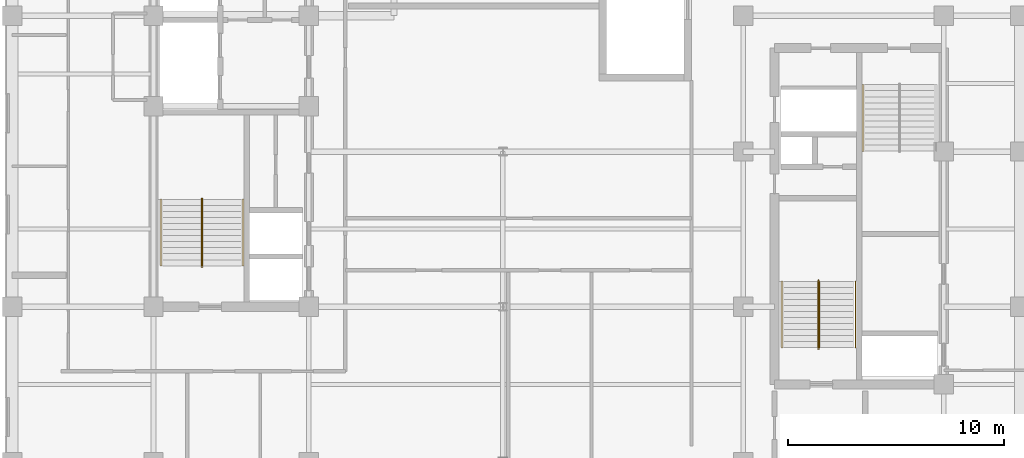
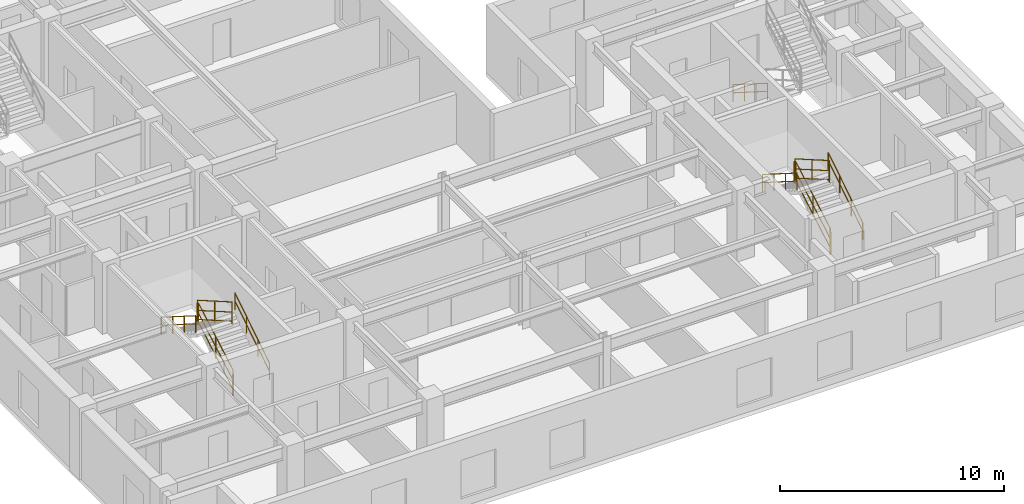
# One storey, part 8 of 10: 13 railings.
"""IFC4 building model written with IfcOpenShell, lengths in metres."""

from ifc_helpers import new_model, entity, si_unit, converted_unit, direction, frame, origin_with_axes, origin_2d_with_axis, place, context, subcontext, project, spatial, rectangle, circle, extrude, material, type_object, element, save


model = new_model("IFC4")

# Units and contexts
model_context = context("Model", 3, precision=1e-05, world=origin_with_axes(), true_north=direction((0.0, 1.0)))
body_context = subcontext(model_context, "Body", "Model", "MODEL_VIEW")
ifc_project = project(units=[si_unit("LENGTHUNIT", "METRE"), si_unit("AREAUNIT", "SQUARE_METRE"), si_unit("VOLUMEUNIT", "CUBIC_METRE"), converted_unit("PLANEANGLEUNIT", "DEGREE", entity("IfcPlaneAngleMeasure", 0.017453292519943295), si_unit("PLANEANGLEUNIT", "RADIAN"), dimensions=[0, 0, 0, 0, 0, 0, 0]), si_unit("MASSUNIT", "GRAM", prefix="KILO"), si_unit("THERMODYNAMICTEMPERATUREUNIT", "KELVIN")], contexts=[model_context])

# Site, building, storey
site_placement = place(None, origin_with_axes())
site = spatial("IfcSite", under=ifc_project, at=site_placement, CompositionType="ELEMENT")
building_placement = place(site_placement, origin_with_axes())
building = spatial("IfcBuilding", under=site, at=building_placement, Name="Varnlund Millrace Tower", CompositionType="ELEMENT")
storey_placement = place(building_placement, frame((0.0, 0.0, 236.4), z_axis=(0.0, 0.0, 1.0), x_axis=(1.0, 0.0, 0.0)))
storey = spatial("IfcBuildingStorey", under=building, at=storey_placement, Name="L58", CompositionType="ELEMENT", Elevation=236.4)

# Railings
ifc_material_1 = material(Name="Painted steel stair well balustrade guard", Category="steel")
railing_type_1 = type_object("IfcRailingType", Name="Type-StairGuard-1150", PredefinedType="GUARDRAIL", material=ifc_material_1)
railing_1_placement = place(storey_placement, frame((0.0, 0.0, -236.4), z_axis=(0.0, 0.0, 1.0), x_axis=(1.0, 0.0, 0.0)))
element("IfcRailing", 1, at=railing_1_placement, inside=storey, type_object=railing_type_1, Name="Type-StairGuard-1150", PredefinedType="GUARDRAIL", context=body_context, shape_type="SweptSolid", body=[
    extrude(circle(Radius=0.024, at=origin_2d_with_axis()), frame((13.675, 12.7, 237.727273), z_axis=(0.0, 0.866696, 0.498836), x_axis=(-1.0, 0.0, 0.0)), (0.0, 0.0, 1.0), 3.553725),
    extrude(circle(Radius=0.024, at=origin_2d_with_axis()), frame((13.675, 12.7, 236.677273), z_axis=(0.0, 0.866696, 0.498836), x_axis=(-1.0, 0.0, 0.0)), (0.0, 0.0, 1.0), 3.553725),
    extrude(circle(Radius=0.024, at=origin_2d_with_axis()), frame((13.675, 12.7, 237.175273), z_axis=(0.0, 0.866696, 0.498836), x_axis=(-1.0, 0.0, 0.0)), (0.0, 0.0, 1.0), 3.553725),
    extrude(rectangle(XDim=0.04, YDim=0.04, at=origin_2d_with_axis()), frame((13.675, 12.7, 236.537273), z_axis=(0.0, 0.0, 1.0), x_axis=(1.0, 0.0, 0.0)), (0.0, 0.0, 1.0), 1.19),
    extrude(rectangle(XDim=0.04, YDim=0.04, at=origin_2d_with_axis()), frame((13.675, 14.24, 237.423637), z_axis=(0.0, 0.0, 1.0), x_axis=(1.0, 0.0, 0.0)), (0.0, 0.0, 1.0), 1.19),
    extrude(rectangle(XDim=0.04, YDim=0.04, at=origin_2d_with_axis()), frame((13.675, 15.78, 238.31), z_axis=(0.0, 0.0, 1.0), x_axis=(1.0, 0.0, 0.0)), (0.0, 0.0, 1.0), 1.19),
])
railing_2_placement = place(storey_placement, frame((0.0, 0.0, -236.4), z_axis=(0.0, 0.0, 1.0), x_axis=(1.0, 0.0, 0.0)))
element("IfcRailing", 2, at=railing_2_placement, inside=storey, type_object=railing_type_1, Name="Type-StairGuard-1150", PredefinedType="GUARDRAIL", context=body_context, shape_type="SweptSolid", body=[
    extrude(circle(Radius=0.024, at=origin_2d_with_axis()), frame((13.625, 15.83, 239.5), z_axis=(1.0, 0.0, 0.0), x_axis=(0.0, 1.0, 0.0)), (0.0, 0.0, 1.0), 0.05),
    extrude(circle(Radius=0.024, at=origin_2d_with_axis()), frame((13.625, 15.83, 238.45), z_axis=(1.0, 0.0, 0.0), x_axis=(0.0, 1.0, 0.0)), (0.0, 0.0, 1.0), 0.05),
    extrude(circle(Radius=0.024, at=origin_2d_with_axis()), frame((13.625, 15.83, 238.948), z_axis=(1.0, 0.0, 0.0), x_axis=(0.0, 1.0, 0.0)), (0.0, 0.0, 1.0), 0.05),
    extrude(rectangle(XDim=0.04, YDim=0.04, at=origin_2d_with_axis()), frame((13.625, 15.83, 238.31), z_axis=(0.0, 0.0, 1.0), x_axis=(1.0, 0.0, 0.0)), (0.0, 0.0, 1.0), 1.19),
    extrude(rectangle(XDim=0.04, YDim=0.04, at=origin_2d_with_axis()), frame((13.675, 15.83, 238.31), z_axis=(0.0, 0.0, 1.0), x_axis=(1.0, 0.0, 0.0)), (0.0, 0.0, 1.0), 1.19),
])
railing_3_placement = place(storey_placement, frame((0.0, 0.0, -236.4), z_axis=(0.0, 0.0, 1.0), x_axis=(1.0, 0.0, 0.0)))
element("IfcRailing", 3, at=railing_3_placement, inside=storey, type_object=railing_type_1, Name="Type-StairGuard-1150", PredefinedType="GUARDRAIL", context=body_context, shape_type="SweptSolid", body=[
    extrude(circle(Radius=0.024, at=origin_2d_with_axis()), frame((13.625, 15.78, 239.677273), z_axis=(0.0, -0.866696, 0.498836), x_axis=(1.0, 0.0, 0.0)), (0.0, 0.0, 1.0), 3.553725),
    extrude(circle(Radius=0.024, at=origin_2d_with_axis()), frame((13.625, 15.78, 238.627273), z_axis=(0.0, -0.866696, 0.498836), x_axis=(1.0, 0.0, 0.0)), (0.0, 0.0, 1.0), 3.553725),
    extrude(circle(Radius=0.024, at=origin_2d_with_axis()), frame((13.625, 15.78, 239.125273), z_axis=(0.0, -0.866696, 0.498836), x_axis=(1.0, 0.0, 0.0)), (0.0, 0.0, 1.0), 3.553725),
    extrude(rectangle(XDim=0.04, YDim=0.04, at=origin_2d_with_axis()), frame((13.625, 15.78, 238.487273), z_axis=(0.0, 0.0, 1.0), x_axis=(1.0, 0.0, 0.0)), (0.0, 0.0, 1.0), 1.19),
    extrude(rectangle(XDim=0.04, YDim=0.04, at=origin_2d_with_axis()), frame((13.625, 14.24, 239.373636), z_axis=(0.0, 0.0, 1.0), x_axis=(1.0, 0.0, 0.0)), (0.0, 0.0, 1.0), 1.19),
    extrude(rectangle(XDim=0.04, YDim=0.04, at=origin_2d_with_axis()), frame((13.625, 12.7, 240.26), z_axis=(0.0, 0.0, 1.0), x_axis=(1.0, 0.0, 0.0)), (0.0, 0.0, 1.0), 1.19),
])
railing_4_placement = place(storey_placement, frame((0.0, 0.0, -236.4), z_axis=(0.0, 0.0, 1.0), x_axis=(1.0, 0.0, 0.0)))
element("IfcRailing", 4, at=railing_4_placement, inside=storey, type_object=railing_type_1, Name="Type-StairGuard-1150", PredefinedType="GUARDRAIL", context=body_context, shape_type="SweptSolid", body=[
    extrude(circle(Radius=0.024, at=origin_2d_with_axis()), frame((13.625, 12.65, 237.55), z_axis=(1.0, 0.0, 0.0), x_axis=(0.0, 1.0, 0.0)), (0.0, 0.0, 1.0), 0.05),
    extrude(circle(Radius=0.024, at=origin_2d_with_axis()), frame((13.625, 12.65, 236.5), z_axis=(1.0, 0.0, 0.0), x_axis=(0.0, 1.0, 0.0)), (0.0, 0.0, 1.0), 0.05),
    extrude(circle(Radius=0.024, at=origin_2d_with_axis()), frame((13.625, 12.65, 236.998), z_axis=(1.0, 0.0, 0.0), x_axis=(0.0, 1.0, 0.0)), (0.0, 0.0, 1.0), 0.05),
    extrude(rectangle(XDim=0.04, YDim=0.04, at=origin_2d_with_axis()), frame((13.625, 12.65, 236.36), z_axis=(0.0, 0.0, 1.0), x_axis=(1.0, 0.0, 0.0)), (0.0, 0.0, 1.0), 1.19),
    extrude(rectangle(XDim=0.04, YDim=0.04, at=origin_2d_with_axis()), frame((13.675, 12.65, 236.36), z_axis=(0.0, 0.0, 1.0), x_axis=(1.0, 0.0, 0.0)), (0.0, 0.0, 1.0), 1.19),
])
railing_5_placement = place(storey_placement, frame((0.0, 0.0, -236.4), z_axis=(0.0, 0.0, 1.0), x_axis=(1.0, 0.0, 0.0)))
element("IfcRailing", 5, at=railing_5_placement, inside=storey, type_object=railing_type_1, Name="Type-StairGuard-1150", PredefinedType="GUARDRAIL", context=body_context, shape_type="SweptSolid", body=[
    extrude(circle(Radius=0.024, at=origin_2d_with_axis()), frame((42.275, 8.9, 237.727273), z_axis=(0.0, 0.866696, 0.498836), x_axis=(-1.0, 0.0, 0.0)), (0.0, 0.0, 1.0), 3.553725),
    extrude(circle(Radius=0.024, at=origin_2d_with_axis()), frame((42.275, 8.9, 236.677273), z_axis=(0.0, 0.866696, 0.498836), x_axis=(-1.0, 0.0, 0.0)), (0.0, 0.0, 1.0), 3.553725),
    extrude(circle(Radius=0.024, at=origin_2d_with_axis()), frame((42.275, 8.9, 237.175273), z_axis=(0.0, 0.866696, 0.498836), x_axis=(-1.0, 0.0, 0.0)), (0.0, 0.0, 1.0), 3.553725),
    extrude(rectangle(XDim=0.04, YDim=0.04, at=origin_2d_with_axis()), frame((42.275, 8.9, 236.537273), z_axis=(0.0, 0.0, 1.0), x_axis=(1.0, 0.0, 0.0)), (0.0, 0.0, 1.0), 1.19),
    extrude(rectangle(XDim=0.04, YDim=0.04, at=origin_2d_with_axis()), frame((42.275, 10.44, 237.423637), z_axis=(0.0, 0.0, 1.0), x_axis=(1.0, 0.0, 0.0)), (0.0, 0.0, 1.0), 1.19),
    extrude(rectangle(XDim=0.04, YDim=0.04, at=origin_2d_with_axis()), frame((42.275, 11.98, 238.31), z_axis=(0.0, 0.0, 1.0), x_axis=(1.0, 0.0, 0.0)), (0.0, 0.0, 1.0), 1.19),
])
railing_6_placement = place(storey_placement, frame((0.0, 0.0, -236.4), z_axis=(0.0, 0.0, 1.0), x_axis=(1.0, 0.0, 0.0)))
element("IfcRailing", 6, at=railing_6_placement, inside=storey, type_object=railing_type_1, Name="Type-StairGuard-1150", PredefinedType="GUARDRAIL", context=body_context, shape_type="SweptSolid", body=[
    extrude(circle(Radius=0.024, at=origin_2d_with_axis()), frame((42.225, 12.03, 239.5), z_axis=(1.0, 0.0, 0.0), x_axis=(0.0, 1.0, 0.0)), (0.0, 0.0, 1.0), 0.05),
    extrude(circle(Radius=0.024, at=origin_2d_with_axis()), frame((42.225, 12.03, 238.45), z_axis=(1.0, 0.0, 0.0), x_axis=(0.0, 1.0, 0.0)), (0.0, 0.0, 1.0), 0.05),
    extrude(circle(Radius=0.024, at=origin_2d_with_axis()), frame((42.225, 12.03, 238.948), z_axis=(1.0, 0.0, 0.0), x_axis=(0.0, 1.0, 0.0)), (0.0, 0.0, 1.0), 0.05),
    extrude(rectangle(XDim=0.04, YDim=0.04, at=origin_2d_with_axis()), frame((42.225, 12.03, 238.31), z_axis=(0.0, 0.0, 1.0), x_axis=(1.0, 0.0, 0.0)), (0.0, 0.0, 1.0), 1.19),
    extrude(rectangle(XDim=0.04, YDim=0.04, at=origin_2d_with_axis()), frame((42.275, 12.03, 238.31), z_axis=(0.0, 0.0, 1.0), x_axis=(1.0, 0.0, 0.0)), (0.0, 0.0, 1.0), 1.19),
])
railing_7_placement = place(storey_placement, frame((0.0, 0.0, -236.4), z_axis=(0.0, 0.0, 1.0), x_axis=(1.0, 0.0, 0.0)))
element("IfcRailing", 7, at=railing_7_placement, inside=storey, type_object=railing_type_1, Name="Type-StairGuard-1150", PredefinedType="GUARDRAIL", context=body_context, shape_type="SweptSolid", body=[
    extrude(circle(Radius=0.024, at=origin_2d_with_axis()), frame((42.225, 11.98, 239.677273), z_axis=(0.0, -0.866696, 0.498836), x_axis=(1.0, 0.0, 0.0)), (0.0, 0.0, 1.0), 3.553725),
    extrude(circle(Radius=0.024, at=origin_2d_with_axis()), frame((42.225, 11.98, 238.627273), z_axis=(0.0, -0.866696, 0.498836), x_axis=(1.0, 0.0, 0.0)), (0.0, 0.0, 1.0), 3.553725),
    extrude(circle(Radius=0.024, at=origin_2d_with_axis()), frame((42.225, 11.98, 239.125273), z_axis=(0.0, -0.866696, 0.498836), x_axis=(1.0, 0.0, 0.0)), (0.0, 0.0, 1.0), 3.553725),
    extrude(rectangle(XDim=0.04, YDim=0.04, at=origin_2d_with_axis()), frame((42.225, 11.98, 238.487273), z_axis=(0.0, 0.0, 1.0), x_axis=(1.0, 0.0, 0.0)), (0.0, 0.0, 1.0), 1.19),
    extrude(rectangle(XDim=0.04, YDim=0.04, at=origin_2d_with_axis()), frame((42.225, 10.44, 239.373636), z_axis=(0.0, 0.0, 1.0), x_axis=(1.0, 0.0, 0.0)), (0.0, 0.0, 1.0), 1.19),
    extrude(rectangle(XDim=0.04, YDim=0.04, at=origin_2d_with_axis()), frame((42.225, 8.9, 240.26), z_axis=(0.0, 0.0, 1.0), x_axis=(1.0, 0.0, 0.0)), (0.0, 0.0, 1.0), 1.19),
])
railing_8_placement = place(storey_placement, frame((0.0, 0.0, -236.4), z_axis=(0.0, 0.0, 1.0), x_axis=(1.0, 0.0, 0.0)))
element("IfcRailing", 8, at=railing_8_placement, inside=storey, type_object=railing_type_1, Name="Type-StairGuard-1150", PredefinedType="GUARDRAIL", context=body_context, shape_type="SweptSolid", body=[
    extrude(circle(Radius=0.024, at=origin_2d_with_axis()), frame((42.225, 8.85, 237.55), z_axis=(1.0, 0.0, 0.0), x_axis=(0.0, 1.0, 0.0)), (0.0, 0.0, 1.0), 0.05),
    extrude(circle(Radius=0.024, at=origin_2d_with_axis()), frame((42.225, 8.85, 236.5), z_axis=(1.0, 0.0, 0.0), x_axis=(0.0, 1.0, 0.0)), (0.0, 0.0, 1.0), 0.05),
    extrude(circle(Radius=0.024, at=origin_2d_with_axis()), frame((42.225, 8.85, 236.998), z_axis=(1.0, 0.0, 0.0), x_axis=(0.0, 1.0, 0.0)), (0.0, 0.0, 1.0), 0.05),
    extrude(rectangle(XDim=0.04, YDim=0.04, at=origin_2d_with_axis()), frame((42.225, 8.85, 236.36), z_axis=(0.0, 0.0, 1.0), x_axis=(1.0, 0.0, 0.0)), (0.0, 0.0, 1.0), 1.19),
    extrude(rectangle(XDim=0.04, YDim=0.04, at=origin_2d_with_axis()), frame((42.275, 8.85, 236.36), z_axis=(0.0, 0.0, 1.0), x_axis=(1.0, 0.0, 0.0)), (0.0, 0.0, 1.0), 1.19),
])
ifc_material_2 = material(Name="Brushed architectural bronze stair handrail", Category="aluminium")
railing_type_2 = type_object("IfcRailingType", Name="Type-StairHandrail-900", PredefinedType="HANDRAIL", material=ifc_material_2)
railing_9_placement = place(storey_placement, frame((0.0, 0.0, -236.4), z_axis=(0.0, 0.0, 1.0), x_axis=(1.0, 0.0, 0.0)))
element("IfcRailing", 9, at=railing_9_placement, inside=storey, type_object=railing_type_2, Name="Type-StairHandrail-900", PredefinedType="HANDRAIL", context=body_context, shape_type="SweptSolid", body=[
    extrude(circle(Radius=0.024, at=origin_2d_with_axis()), frame((15.55, 12.7, 237.456995), z_axis=(0.0, 0.844902, 0.534922), x_axis=(-1.0, 0.0, 0.0)), (0.0, 0.0, 1.0), 3.645394),
    extrude(circle(Radius=0.024, at=origin_2d_with_axis()), frame((15.55, 12.7, 237.017134), z_axis=(0.0, 0.844902, 0.534922), x_axis=(-1.0, 0.0, 0.0)), (0.0, 0.0, 1.0), 3.645394),
    extrude(rectangle(XDim=0.04, YDim=0.04, at=origin_2d_with_axis()), frame((15.55, 12.7, 236.537273), z_axis=(0.0, 0.0, 1.0), x_axis=(1.0, 0.0, 0.0)), (0.0, 0.0, 1.0), 0.919722),
    extrude(rectangle(XDim=0.04, YDim=0.04, at=origin_2d_with_axis()), frame((15.55, 13.726667, 237.187273), z_axis=(0.0, 0.0, 1.0), x_axis=(1.0, 0.0, 0.0)), (0.0, 0.0, 1.0), 0.919722),
    extrude(rectangle(XDim=0.04, YDim=0.04, at=origin_2d_with_axis()), frame((15.55, 14.753333, 237.837273), z_axis=(0.0, 0.0, 1.0), x_axis=(1.0, 0.0, 0.0)), (0.0, 0.0, 1.0), 0.919722),
    extrude(rectangle(XDim=0.04, YDim=0.04, at=origin_2d_with_axis()), frame((15.55, 15.78, 238.487273), z_axis=(0.0, 0.0, 1.0), x_axis=(1.0, 0.0, 0.0)), (0.0, 0.0, 1.0), 0.919722),
])
railing_10_placement = place(storey_placement, frame((0.0, 0.0, -236.4), z_axis=(0.0, 0.0, 1.0), x_axis=(1.0, 0.0, 0.0)))
element("IfcRailing", 10, at=railing_10_placement, inside=storey, type_object=railing_type_2, Name="Type-StairHandrail-900", PredefinedType="HANDRAIL", context=body_context, shape_type="SweptSolid", body=[
    extrude(circle(Radius=0.024, at=origin_2d_with_axis()), frame((11.75, 15.78, 239.406995), z_axis=(0.0, -0.844902, 0.534922), x_axis=(1.0, 0.0, 0.0)), (0.0, 0.0, 1.0), 3.645394),
    extrude(circle(Radius=0.024, at=origin_2d_with_axis()), frame((11.75, 15.78, 238.967134), z_axis=(0.0, -0.844902, 0.534922), x_axis=(1.0, 0.0, 0.0)), (0.0, 0.0, 1.0), 3.645394),
    extrude(rectangle(XDim=0.04, YDim=0.04, at=origin_2d_with_axis()), frame((11.75, 15.78, 238.487273), z_axis=(0.0, 0.0, 1.0), x_axis=(1.0, 0.0, 0.0)), (0.0, 0.0, 1.0), 0.919722),
    extrude(rectangle(XDim=0.04, YDim=0.04, at=origin_2d_with_axis()), frame((11.75, 14.753333, 239.137273), z_axis=(0.0, 0.0, 1.0), x_axis=(1.0, 0.0, 0.0)), (0.0, 0.0, 1.0), 0.919722),
    extrude(rectangle(XDim=0.04, YDim=0.04, at=origin_2d_with_axis()), frame((11.75, 13.726667, 239.787273), z_axis=(0.0, 0.0, 1.0), x_axis=(1.0, 0.0, 0.0)), (0.0, 0.0, 1.0), 0.919722),
    extrude(rectangle(XDim=0.04, YDim=0.04, at=origin_2d_with_axis()), frame((11.75, 12.7, 240.437273), z_axis=(0.0, 0.0, 1.0), x_axis=(1.0, 0.0, 0.0)), (0.0, 0.0, 1.0), 0.919722),
])
railing_11_placement = place(storey_placement, frame((0.0, 0.0, -236.4), z_axis=(0.0, 0.0, 1.0), x_axis=(1.0, 0.0, 0.0)))
element("IfcRailing", 11, at=railing_11_placement, inside=storey, type_object=railing_type_2, Name="Type-StairHandrail-900", PredefinedType="HANDRAIL", context=body_context, shape_type="SweptSolid", body=[
    extrude(circle(Radius=0.024, at=origin_2d_with_axis()), frame((43.95, 8.9, 237.456995), z_axis=(0.0, 0.844902, 0.534922), x_axis=(-1.0, 0.0, 0.0)), (0.0, 0.0, 1.0), 3.645394),
    extrude(circle(Radius=0.024, at=origin_2d_with_axis()), frame((43.95, 8.9, 237.017134), z_axis=(0.0, 0.844902, 0.534922), x_axis=(-1.0, 0.0, 0.0)), (0.0, 0.0, 1.0), 3.645394),
    extrude(rectangle(XDim=0.04, YDim=0.04, at=origin_2d_with_axis()), frame((43.95, 8.9, 236.537273), z_axis=(0.0, 0.0, 1.0), x_axis=(1.0, 0.0, 0.0)), (0.0, 0.0, 1.0), 0.919722),
    extrude(rectangle(XDim=0.04, YDim=0.04, at=origin_2d_with_axis()), frame((43.95, 9.926667, 237.187273), z_axis=(0.0, 0.0, 1.0), x_axis=(1.0, 0.0, 0.0)), (0.0, 0.0, 1.0), 0.919722),
    extrude(rectangle(XDim=0.04, YDim=0.04, at=origin_2d_with_axis()), frame((43.95, 10.953333, 237.837273), z_axis=(0.0, 0.0, 1.0), x_axis=(1.0, 0.0, 0.0)), (0.0, 0.0, 1.0), 0.919722),
    extrude(rectangle(XDim=0.04, YDim=0.04, at=origin_2d_with_axis()), frame((43.95, 11.98, 238.487273), z_axis=(0.0, 0.0, 1.0), x_axis=(1.0, 0.0, 0.0)), (0.0, 0.0, 1.0), 0.919722),
])
railing_12_placement = place(storey_placement, frame((0.0, 0.0, -236.4), z_axis=(0.0, 0.0, 1.0), x_axis=(1.0, 0.0, 0.0)))
element("IfcRailing", 12, at=railing_12_placement, inside=storey, type_object=railing_type_2, Name="Type-StairHandrail-900", PredefinedType="HANDRAIL", context=body_context, shape_type="SweptSolid", body=[
    extrude(circle(Radius=0.024, at=origin_2d_with_axis()), frame((40.55, 11.98, 239.406995), z_axis=(0.0, -0.844902, 0.534922), x_axis=(1.0, 0.0, 0.0)), (0.0, 0.0, 1.0), 3.645394),
    extrude(circle(Radius=0.024, at=origin_2d_with_axis()), frame((40.55, 11.98, 238.967134), z_axis=(0.0, -0.844902, 0.534922), x_axis=(1.0, 0.0, 0.0)), (0.0, 0.0, 1.0), 3.645394),
    extrude(rectangle(XDim=0.04, YDim=0.04, at=origin_2d_with_axis()), frame((40.55, 11.98, 238.487273), z_axis=(0.0, 0.0, 1.0), x_axis=(1.0, 0.0, 0.0)), (0.0, 0.0, 1.0), 0.919722),
    extrude(rectangle(XDim=0.04, YDim=0.04, at=origin_2d_with_axis()), frame((40.55, 10.953333, 239.137273), z_axis=(0.0, 0.0, 1.0), x_axis=(1.0, 0.0, 0.0)), (0.0, 0.0, 1.0), 0.919722),
    extrude(rectangle(XDim=0.04, YDim=0.04, at=origin_2d_with_axis()), frame((40.55, 9.926667, 239.787273), z_axis=(0.0, 0.0, 1.0), x_axis=(1.0, 0.0, 0.0)), (0.0, 0.0, 1.0), 0.919722),
    extrude(rectangle(XDim=0.04, YDim=0.04, at=origin_2d_with_axis()), frame((40.55, 8.9, 240.437273), z_axis=(0.0, 0.0, 1.0), x_axis=(1.0, 0.0, 0.0)), (0.0, 0.0, 1.0), 0.919722),
])
railing_13_placement = place(storey_placement, frame((0.0, 0.0, -236.4), z_axis=(0.0, 0.0, 1.0), x_axis=(1.0, 0.0, 0.0)))
element("IfcRailing", 13, at=railing_13_placement, inside=storey, type_object=railing_type_2, Name="Type-StairHandrail-900", PredefinedType="HANDRAIL", context=body_context, shape_type="SweptSolid", body=[
    extrude(circle(Radius=0.024, at=origin_2d_with_axis()), frame((44.3, 21.1, 237.456995), z_axis=(0.0, -0.844902, 0.534922), x_axis=(1.0, 0.0, 0.0)), (0.0, 0.0, 1.0), 3.645394),
    extrude(circle(Radius=0.024, at=origin_2d_with_axis()), frame((44.3, 21.1, 237.017134), z_axis=(0.0, -0.844902, 0.534922), x_axis=(1.0, 0.0, 0.0)), (0.0, 0.0, 1.0), 3.645394),
    extrude(rectangle(XDim=0.04, YDim=0.04, at=origin_2d_with_axis()), frame((44.3, 21.1, 236.537273), z_axis=(0.0, 0.0, 1.0), x_axis=(1.0, 0.0, 0.0)), (0.0, 0.0, 1.0), 0.919722),
    extrude(rectangle(XDim=0.04, YDim=0.04, at=origin_2d_with_axis()), frame((44.3, 20.073333, 237.187273), z_axis=(0.0, 0.0, 1.0), x_axis=(1.0, 0.0, 0.0)), (0.0, 0.0, 1.0), 0.919722),
    extrude(rectangle(XDim=0.04, YDim=0.04, at=origin_2d_with_axis()), frame((44.3, 19.046667, 237.837273), z_axis=(0.0, 0.0, 1.0), x_axis=(1.0, 0.0, 0.0)), (0.0, 0.0, 1.0), 0.919722),
    extrude(rectangle(XDim=0.04, YDim=0.04, at=origin_2d_with_axis()), frame((44.3, 18.02, 238.487273), z_axis=(0.0, 0.0, 1.0), x_axis=(1.0, 0.0, 0.0)), (0.0, 0.0, 1.0), 0.919722),
])

save(model, "model.ifc")
